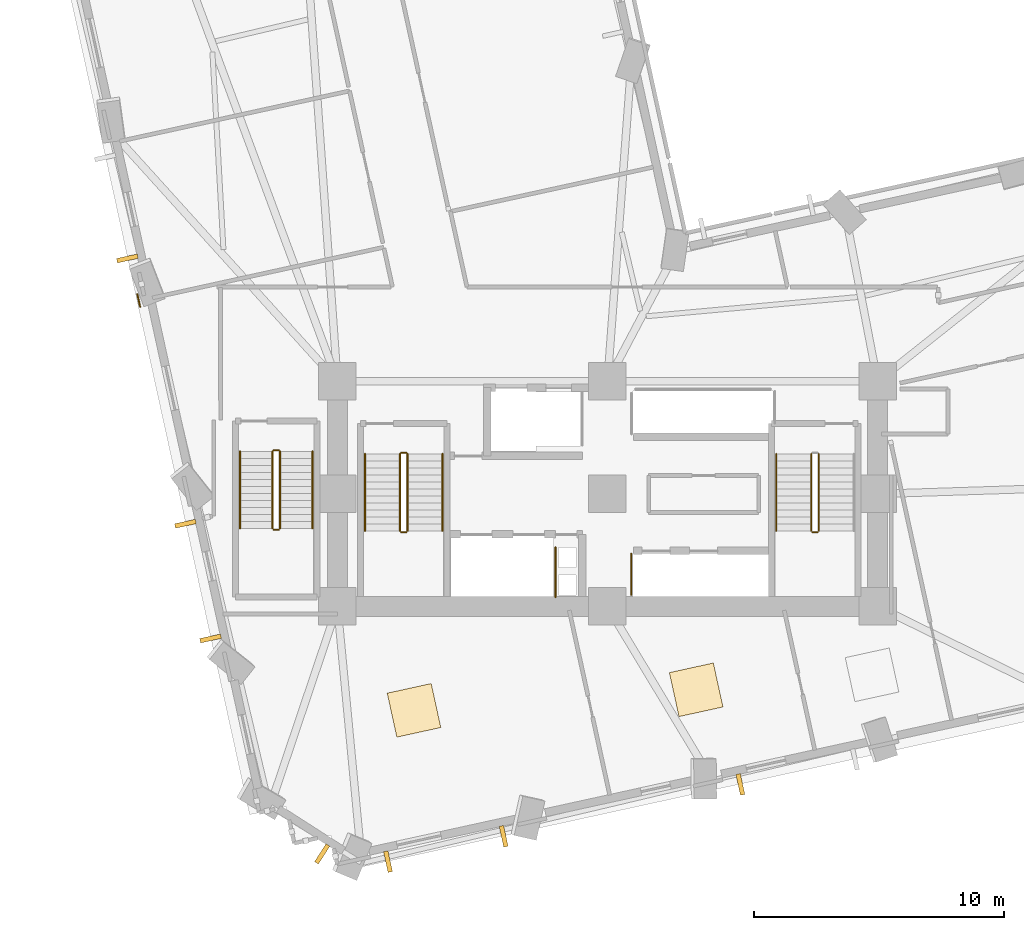
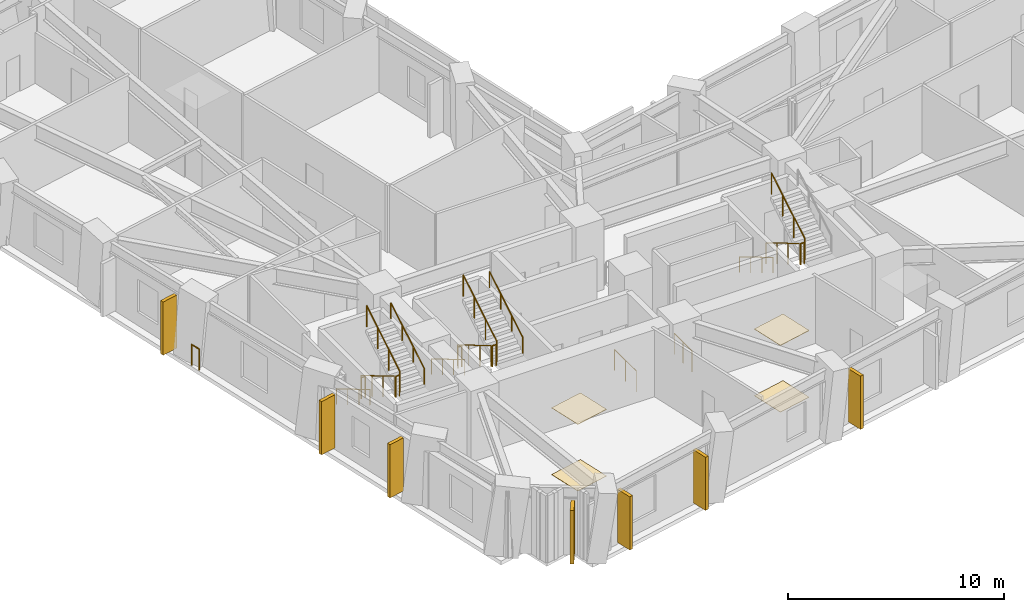
# One storey, part 11 of 14: 19 railings, 7 shading devices, 4 coverings.
"""IFC4 building model written with IfcOpenShell, lengths in metres."""

from ifc_helpers import new_model, si_unit, direction, frame, origin, origin_2d, place, context, subcontext, project, spatial, rectangle, circle, extrude, material, layer, layer_set, type_object, element, save


model = new_model("IFC4")

# Units and contexts
model_context = context("Model", 3, precision=1e-05, world=origin(), true_north=direction((0.0, 1.0)))
body_context = subcontext(model_context, "Body", "Model", "MODEL_VIEW")
ifc_project = project(units=[si_unit("LENGTHUNIT", "METRE"), si_unit("AREAUNIT", "SQUARE_METRE"), si_unit("VOLUMEUNIT", "CUBIC_METRE"), si_unit("PLANEANGLEUNIT", "RADIAN"), si_unit("MASSUNIT", "GRAM", prefix="KILO")], contexts=[model_context])

# Site, building, storey
site_placement = place(None, origin())
site = spatial("IfcSite", under=ifc_project, at=site_placement, CompositionType="ELEMENT")
building_placement = place(site_placement, origin())
building = spatial("IfcBuilding", under=site, at=building_placement, Name="Gaonmaruhae Medical Tower", CompositionType="ELEMENT")
storey_placement = place(building_placement, frame((0.0, 0.0, 75.0)))
storey = spatial("IfcBuildingStorey", under=building, at=storey_placement, Name="L17", CompositionType="ELEMENT", Elevation=75.0)

# Coverings
ifc_material_1 = material(Name="Acoustic mineral ceiling tile", Category="finish")
ifc_layer_1 = layer(ifc_material_1, 0.02490234375)
ifc_layer_set_1 = layer_set([ifc_layer_1], Name="Acoustic mineral ceiling tile")
covering_type_1 = type_object("IfcCoveringType", Name="CLG-01 Antimicrobial Acoustic Mineral Ceiling", PredefinedType="CEILING", material=ifc_layer_set_1)
for number, where, z_axis, x_axis, name in (
    (1, (17.06201171875, 3.64501953125, 3.755126953125), (0.0, 0.0, 1.0), (0.976859298345, 0.213882938162, 0.0), "L17 Clinical Room Acoustic Ceiling 2"),
    (2, (28.347412109375, 4.466552734375, 3.755126953125), (0.0, 0.0, 1.0), (0.976859298345, 0.213882938162, 0.0), "L17 Clinical Room Acoustic Ceiling 3"),
):
    element("IfcCovering", number, at=place(storey_placement, frame(where, z_axis=z_axis, x_axis=x_axis)), inside=storey, type_object=covering_type_1, Name=name, PredefinedType="CEILING", context=body_context, shape_type="SweptSolid", body=[
        extrude(rectangle(XDim=1.800048828125, YDim=1.800048828125, at=origin_2d()), origin(), (0.0, 0.0, 1.0), 0.02490234375),
    ])
ifc_material_2 = material(Name="Seamless clinical vinyl flooring", Category="finish")
ifc_layer_2 = layer(ifc_material_2, 0.014892578125)
ifc_layer_set_2 = layer_set([ifc_layer_2], Name="Seamless clinical vinyl flooring")
covering_type_2 = type_object("IfcCoveringType", Name="FLR-01 Seamless Clinical Antistatic Vinyl Flooring", PredefinedType="FLOORING", material=ifc_layer_set_2)
for number, where, z_axis, x_axis, name in (
    (3, (17.06201171875, 3.64501953125, 0.0), (0.0, 0.0, 1.0), (0.976859298345, 0.213882938162, 0.0), "L17 Clinical Room Vinyl Flooring 2"),
    (4, (28.347412109375, 4.466552734375, 0.0), (0.0, 0.0, 1.0), (0.976859298345, 0.213882938162, 0.0), "L17 Clinical Room Vinyl Flooring 3"),
):
    element("IfcCovering", number, at=place(storey_placement, frame(where, z_axis=z_axis, x_axis=x_axis)), inside=storey, type_object=covering_type_2, Name=name, PredefinedType="FLOORING", context=body_context, shape_type="SweptSolid", body=[
        extrude(rectangle(XDim=1.800048828125, YDim=1.800048828125, at=origin_2d()), origin(), (0.0, 0.0, 1.0), 0.014892578125),
    ])

# Railings
ifc_material_3 = material(Name="Stainless steel 316L and laminated safety glass", Category="steel")
ifc_layer_3 = layer(ifc_material_3, 0.080078125)
ifc_layer_set_3 = layer_set([ifc_layer_3], Name="Stainless steel 316L and laminated safety glass")
railing_type_1 = type_object("IfcRailingType", Name="GD-120 Outdoor Terrace Safety Glass & Steel Balustrade", PredefinedType="BALUSTRADE", material=ifc_layer_set_3)
railing_1_placement = place(storey_placement, frame((6.106689453125, 19.7841796875, 0.0)))
element("IfcRailing", 5, at=railing_1_placement, inside=storey, type_object=railing_type_1, Name="L17 Perimeter Slab Edge Safety Balustrade 01", PredefinedType="BALUSTRADE", context=body_context, shape_type="SweptSolid", body=[
    extrude(circle(Radius=0.02392578125, at=origin_2d()), frame((0.0, 0.0, 1.17578125), z_axis=(-0.214243303988, 0.976780326735, 0.0), x_axis=(-0.976780326735, -0.214243303988, 0.0)), (0.0, 0.0, 1.0), 0.51953125),
    extrude(circle(Radius=0.02099609375, at=origin_2d()), origin(), (0.0, 0.0, 1.0), 1.15185546875),
    extrude(circle(Radius=0.02099609375, at=origin_2d()), frame((-0.111328125, 0.507568359375, 0.0)), (0.0, 0.0, 1.0), 1.15185546875),
])
ifc_material_4 = material(Name="Stainless steel 304 handrail", Category="steel")
railing_type_2 = type_object("IfcRailingType", Name="HR-092 Continuous Stainless Steel Stair Handrail", PredefinedType="HANDRAIL", material=ifc_material_4)
railing_2_placement = place(storey_placement, frame((15.10009765625, 13.89990234375, 0.166748046875)))
element("IfcRailing", 6, at=railing_2_placement, inside=storey, type_object=railing_type_2, Name="L17 ST-01 stair handrail 1", PredefinedType="HANDRAIL", context=body_context, shape_type="SweptSolid", body=[
    extrude(circle(Radius=0.02392578125, at=origin_2d()), frame((0.0, 0.0, 0.8759765625), z_axis=(0.0, -0.859290745958, 0.51148745235), x_axis=(1.0, 0.0, 0.0)), (0.0, 0.0, 1.0), 3.584228515625),
    extrude(circle(Radius=0.02099609375, at=origin_2d()), origin(), (0.0, 0.0, 1.0), 0.851806640625),
    extrude(circle(Radius=0.02099609375, at=origin_2d()), frame((0.0, -1.026611328125, 0.611083984375)), (0.0, 0.0, 1.0), 0.851806640625),
    extrude(circle(Radius=0.02099609375, at=origin_2d()), frame((0.0, -2.05322265625, 1.22216796875)), (0.0, 0.0, 1.0), 0.851806640625),
    extrude(circle(Radius=0.02099609375, at=origin_2d()), frame((0.0, -3.079833984375, 1.833251953125)), (0.0, 0.0, 1.0), 0.851806640625),
])
railing_3_placement = place(storey_placement, frame((18.199951171875, 10.820068359375, 2.166748046875)))
element("IfcRailing", 7, at=railing_3_placement, inside=storey, type_object=railing_type_2, Name="L17 ST-01 stair handrail 2", PredefinedType="HANDRAIL", context=body_context, shape_type="SweptSolid", body=[
    extrude(circle(Radius=0.02392578125, at=origin_2d()), frame((0.0, 0.0, 0.8759765625), z_axis=(0.0, 0.859290745958, 0.51148745235), x_axis=(-1.0, 0.0, 0.0)), (0.0, 0.0, 1.0), 3.584228515625),
    extrude(circle(Radius=0.02099609375, at=origin_2d()), origin(), (0.0, 0.0, 1.0), 0.851806640625),
    extrude(circle(Radius=0.02099609375, at=origin_2d()), frame((0.0, 1.026611328125, 0.611083984375)), (0.0, 0.0, 1.0), 0.851806640625),
    extrude(circle(Radius=0.02099609375, at=origin_2d()), frame((0.0, 2.05322265625, 1.22216796875)), (0.0, 0.0, 1.0), 0.851806640625),
    extrude(circle(Radius=0.02099609375, at=origin_2d()), frame((0.0, 3.079833984375, 1.833251953125)), (0.0, 0.0, 1.0), 0.851806640625),
])
railing_4_placement = place(storey_placement, frame((31.550048828125, 13.89990234375, 0.166748046875)))
element("IfcRailing", 8, at=railing_4_placement, inside=storey, type_object=railing_type_2, Name="L17 ST-02 stair handrail 1", PredefinedType="HANDRAIL", context=body_context, shape_type="SweptSolid", body=[
    extrude(circle(Radius=0.02392578125, at=origin_2d()), frame((0.0, 0.0, 0.8759765625), z_axis=(0.0, -0.859290745958, 0.51148745235), x_axis=(1.0, 0.0, 0.0)), (0.0, 0.0, 1.0), 3.584228515625),
    extrude(circle(Radius=0.02099609375, at=origin_2d()), origin(), (0.0, 0.0, 1.0), 0.851806640625),
    extrude(circle(Radius=0.02099609375, at=origin_2d()), frame((0.0, -1.026611328125, 0.611083984375)), (0.0, 0.0, 1.0), 0.851806640625),
    extrude(circle(Radius=0.02099609375, at=origin_2d()), frame((0.0, -2.05322265625, 1.22216796875)), (0.0, 0.0, 1.0), 0.851806640625),
    extrude(circle(Radius=0.02099609375, at=origin_2d()), frame((0.0, -3.079833984375, 1.833251953125)), (0.0, 0.0, 1.0), 0.851806640625),
])
railing_5_placement = place(storey_placement, frame((10.10009765625, 14.0, 0.166748046875)))
element("IfcRailing", 9, at=railing_5_placement, inside=storey, type_object=railing_type_2, Name="L17 ST-03 stair handrail 1", PredefinedType="HANDRAIL", context=body_context, shape_type="SweptSolid", body=[
    extrude(circle(Radius=0.02392578125, at=origin_2d()), frame((0.0, 0.0, 0.8759765625), z_axis=(0.0, -0.859308565015, 0.511457515432), x_axis=(1.0, 0.0, 0.0)), (0.0, 0.0, 1.0), 3.58447265625),
    extrude(circle(Radius=0.02099609375, at=origin_2d()), origin(), (0.0, 0.0, 1.0), 0.851806640625),
    extrude(circle(Radius=0.02099609375, at=origin_2d()), frame((0.0, -1.026611328125, 0.611083984375)), (0.0, 0.0, 1.0), 0.851806640625),
    extrude(circle(Radius=0.02099609375, at=origin_2d()), frame((0.0, -2.053466796875, 1.22216796875)), (0.0, 0.0, 1.0), 0.851806640625),
    extrude(circle(Radius=0.02099609375, at=origin_2d()), frame((0.0, -3.080078125, 1.833251953125)), (0.0, 0.0, 1.0), 0.851806640625),
])
railing_6_placement = place(storey_placement, frame((13.0, 10.919921875, 2.166748046875)))
element("IfcRailing", 10, at=railing_6_placement, inside=storey, type_object=railing_type_2, Name="L17 ST-03 stair handrail 2", PredefinedType="HANDRAIL", context=body_context, shape_type="SweptSolid", body=[
    extrude(circle(Radius=0.02392578125, at=origin_2d()), frame((0.0, 0.0, 0.8759765625), z_axis=(0.0, 0.859308565015, 0.511457515432), x_axis=(-1.0, 0.0, 0.0)), (0.0, 0.0, 1.0), 3.58447265625),
    extrude(circle(Radius=0.02099609375, at=origin_2d()), origin(), (0.0, 0.0, 1.0), 0.851806640625),
    extrude(circle(Radius=0.02099609375, at=origin_2d()), frame((0.0, 1.026611328125, 0.611083984375)), (0.0, 0.0, 1.0), 0.851806640625),
    extrude(circle(Radius=0.02099609375, at=origin_2d()), frame((0.0, 2.053466796875, 1.22216796875)), (0.0, 0.0, 1.0), 0.851806640625),
    extrude(circle(Radius=0.02099609375, at=origin_2d()), frame((0.0, 3.080078125, 1.833251953125)), (0.0, 0.0, 1.0), 0.851806640625),
])

# Shading devices
ifc_material_5 = material(Name="Pigmented coral precast concrete C45/55", Category="concrete")
shading_device_type = type_object("IfcShadingDeviceType", Name="SD-FIN1 Tower Vertical Coral Precast Shading Fin", PredefinedType="USERDEFINED", material=ifc_material_5)
for number, where, z_axis, x_axis, name in (
    (11, (20.646484375, -1.3916015625, 0.08251953125), (0.0, 0.0, 1.0), (-0.976863031158, -0.213865888718, 0.0), "L17 Vertical Coral Precast Shading Fin S01"),
    (12, (16.021484375, -2.404296875, 0.08251953125), (0.0, 0.0, 1.0), (-0.976863031158, -0.213865888718, 0.0), "L17 Vertical Coral Precast Shading Fin S01B"),
    (13, (30.115478515625, 0.681640625, 0.08251953125), (0.0, 0.0, 1.0), (-0.976859298345, -0.213882938162, 0.0), "L17 Vertical Coral Precast Shading Fin S03B"),
    (14, (5.595947265625, 21.718994140625, 0.08251953125), (0.0, 0.0, 1.0), (-0.213882938162, 0.976859298345, 0.0), "L17 Vertical Coral Precast Shading Fin W03"),
    (15, (8.923828125, 6.51953125, 0.08251953125), (0.0, 0.0, 1.0), (-0.213882938162, 0.976859298345, 0.0), "L17 Vertical Coral Precast Shading Fin W05"),
    (16, (7.919189453125, 11.10791015625, 0.08251953125), (0.0, 0.0, 1.0), (-0.213882938162, 0.976859298345, 0.0), "L17 Vertical Coral Precast Shading Fin W05B"),
    (17, (13.389892578125, -2.098388671875, 0.08251953125), (0.0, 0.0, 1.0), (-0.841981910079, 0.539505758171, 0.0), "L17 Vertical Coral Precast Shading Fin W07"),
):
    element("IfcShadingDevice", number, at=place(storey_placement, frame(where, z_axis=z_axis, x_axis=x_axis)), inside=storey, type_object=shading_device_type, Name=name, ObjectType="FIN", PredefinedType="USERDEFINED", context=body_context, shape_type="SweptSolid", body=[
        extrude(rectangle(XDim=0.179931640625, YDim=0.85009765625, at=origin_2d()), origin(), (0.0, 0.0, 1.0), 3.0),
    ])

# Railings
ifc_material_6 = material(Name="Stainless steel 304 balustrade", Category="steel")
railing_type_3 = type_object("IfcRailingType", Name="SG-112 Stair Well & Ramp Void Safety Balustrade", PredefinedType="BALUSTRADE", material=ifc_material_6)
railing_7_placement = place(storey_placement, frame((16.5, 13.89990234375, 0.166748046875)))
element("IfcRailing", 18, at=railing_7_placement, inside=storey, type_object=railing_type_3, Name="L17 ST-01 stair guard 1", PredefinedType="BALUSTRADE", context=body_context, shape_type="SweptSolid", body=[
    extrude(circle(Radius=0.02392578125, at=origin_2d()), frame((0.0, 0.0, 1.17578125), z_axis=(0.0, -0.859290745958, 0.51148745235), x_axis=(1.0, 0.0, 0.0)), (0.0, 0.0, 1.0), 3.584228515625),
    extrude(circle(Radius=0.02099609375, at=origin_2d()), origin(), (0.0, 0.0, 1.0), 1.15185546875),
    extrude(circle(Radius=0.02099609375, at=origin_2d()), frame((0.0, -1.026611328125, 0.611083984375)), (0.0, 0.0, 1.0), 1.15185546875),
    extrude(circle(Radius=0.02099609375, at=origin_2d()), frame((0.0, -2.05322265625, 1.22216796875)), (0.0, 0.0, 1.0), 1.15185546875),
    extrude(circle(Radius=0.02099609375, at=origin_2d()), frame((0.0, -3.079833984375, 1.833251953125)), (0.0, 0.0, 1.0), 1.15185546875),
])
railing_8_placement = place(storey_placement, frame((16.550048828125, 10.77001953125, 2.0)))
element("IfcRailing", 19, at=railing_8_placement, inside=storey, type_object=railing_type_3, Name="L17 ST-01 stair guard 2", PredefinedType="BALUSTRADE", context=body_context, shape_type="SweptSolid", body=[
    extrude(circle(Radius=0.02392578125, at=origin_2d()), frame((0.0, 0.0, 1.17578125), z_axis=(1.0, 0.0, 0.0), x_axis=(0.0, 1.0, 0.0)), (0.0, 0.0, 1.0), 0.199951171875),
    extrude(circle(Radius=0.02099609375, at=origin_2d()), origin(), (0.0, 0.0, 1.0), 1.15185546875),
    extrude(circle(Radius=0.02099609375, at=origin_2d()), frame((0.199951171875, 0.0, 0.0)), (0.0, 0.0, 1.0), 1.15185546875),
])
railing_9_placement = place(storey_placement, frame((16.800048828125, 10.820068359375, 2.166748046875)))
element("IfcRailing", 20, at=railing_9_placement, inside=storey, type_object=railing_type_3, Name="L17 ST-01 stair guard 3", PredefinedType="BALUSTRADE", context=body_context, shape_type="SweptSolid", body=[
    extrude(circle(Radius=0.02392578125, at=origin_2d()), frame((0.0, 0.0, 1.17578125), z_axis=(0.0, 0.859290745958, 0.51148745235), x_axis=(-1.0, 0.0, 0.0)), (0.0, 0.0, 1.0), 3.584228515625),
    extrude(circle(Radius=0.02099609375, at=origin_2d()), origin(), (0.0, 0.0, 1.0), 1.15185546875),
    extrude(circle(Radius=0.02099609375, at=origin_2d()), frame((0.0, 1.026611328125, 0.611083984375)), (0.0, 0.0, 1.0), 1.15185546875),
    extrude(circle(Radius=0.02099609375, at=origin_2d()), frame((0.0, 2.05322265625, 1.22216796875)), (0.0, 0.0, 1.0), 1.15185546875),
    extrude(circle(Radius=0.02099609375, at=origin_2d()), frame((0.0, 3.079833984375, 1.833251953125)), (0.0, 0.0, 1.0), 1.15185546875),
])
railing_10_placement = place(storey_placement, frame((16.550048828125, 13.949951171875, 0.0)))
element("IfcRailing", 21, at=railing_10_placement, inside=storey, type_object=railing_type_3, Name="L17 ST-01 stair guard 4", PredefinedType="BALUSTRADE", context=body_context, shape_type="SweptSolid", body=[
    extrude(circle(Radius=0.02392578125, at=origin_2d()), frame((0.0, 0.0, 1.17578125), z_axis=(1.0, 0.0, 0.0), x_axis=(0.0, 1.0, 0.0)), (0.0, 0.0, 1.0), 0.199951171875),
    extrude(circle(Radius=0.02099609375, at=origin_2d()), origin(), (0.0, 0.0, 1.0), 1.15185546875),
    extrude(circle(Radius=0.02099609375, at=origin_2d()), frame((0.199951171875, 0.0, 0.0)), (0.0, 0.0, 1.0), 1.15185546875),
])
railing_11_placement = place(storey_placement, frame((32.949951171875, 13.89990234375, 0.166748046875)))
element("IfcRailing", 22, at=railing_11_placement, inside=storey, type_object=railing_type_3, Name="L17 ST-02 stair guard 1", PredefinedType="BALUSTRADE", context=body_context, shape_type="SweptSolid", body=[
    extrude(circle(Radius=0.02392578125, at=origin_2d()), frame((0.0, 0.0, 1.17578125), z_axis=(0.0, -0.859290745958, 0.51148745235), x_axis=(1.0, 0.0, 0.0)), (0.0, 0.0, 1.0), 3.584228515625),
    extrude(circle(Radius=0.02099609375, at=origin_2d()), origin(), (0.0, 0.0, 1.0), 1.15185546875),
    extrude(circle(Radius=0.02099609375, at=origin_2d()), frame((0.0, -1.026611328125, 0.611083984375)), (0.0, 0.0, 1.0), 1.15185546875),
    extrude(circle(Radius=0.02099609375, at=origin_2d()), frame((0.0, -2.05322265625, 1.22216796875)), (0.0, 0.0, 1.0), 1.15185546875),
    extrude(circle(Radius=0.02099609375, at=origin_2d()), frame((0.0, -3.079833984375, 1.833251953125)), (0.0, 0.0, 1.0), 1.15185546875),
])
railing_12_placement = place(storey_placement, frame((33.0, 10.77001953125, 2.0)))
element("IfcRailing", 23, at=railing_12_placement, inside=storey, type_object=railing_type_3, Name="L17 ST-02 stair guard 2", PredefinedType="BALUSTRADE", context=body_context, shape_type="SweptSolid", body=[
    extrude(circle(Radius=0.02392578125, at=origin_2d()), frame((0.0, 0.0, 1.17578125), z_axis=(1.0, 0.0, 0.0), x_axis=(0.0, 1.0, 0.0)), (0.0, 0.0, 1.0), 0.199951171875),
    extrude(circle(Radius=0.02099609375, at=origin_2d()), origin(), (0.0, 0.0, 1.0), 1.15185546875),
    extrude(circle(Radius=0.02099609375, at=origin_2d()), frame((0.199951171875, 0.0, 0.0)), (0.0, 0.0, 1.0), 1.15185546875),
])
railing_13_placement = place(storey_placement, frame((33.25, 10.820068359375, 2.166748046875)))
element("IfcRailing", 24, at=railing_13_placement, inside=storey, type_object=railing_type_3, Name="L17 ST-02 stair guard 3", PredefinedType="BALUSTRADE", context=body_context, shape_type="SweptSolid", body=[
    extrude(circle(Radius=0.02392578125, at=origin_2d()), frame((0.0, 0.0, 1.17578125), z_axis=(0.0, 0.859290745958, 0.51148745235), x_axis=(-1.0, 0.0, 0.0)), (0.0, 0.0, 1.0), 3.584228515625),
    extrude(circle(Radius=0.02099609375, at=origin_2d()), origin(), (0.0, 0.0, 1.0), 1.15185546875),
    extrude(circle(Radius=0.02099609375, at=origin_2d()), frame((0.0, 1.026611328125, 0.611083984375)), (0.0, 0.0, 1.0), 1.15185546875),
    extrude(circle(Radius=0.02099609375, at=origin_2d()), frame((0.0, 2.05322265625, 1.22216796875)), (0.0, 0.0, 1.0), 1.15185546875),
    extrude(circle(Radius=0.02099609375, at=origin_2d()), frame((0.0, 3.079833984375, 1.833251953125)), (0.0, 0.0, 1.0), 1.15185546875),
])
railing_14_placement = place(storey_placement, frame((11.39990234375, 14.0, 0.166748046875)))
element("IfcRailing", 25, at=railing_14_placement, inside=storey, type_object=railing_type_3, Name="L17 ST-03 stair guard 1", PredefinedType="BALUSTRADE", context=body_context, shape_type="SweptSolid", body=[
    extrude(circle(Radius=0.02392578125, at=origin_2d()), frame((0.0, 0.0, 1.17578125), z_axis=(0.0, -0.859308565015, 0.511457515432), x_axis=(1.0, 0.0, 0.0)), (0.0, 0.0, 1.0), 3.58447265625),
    extrude(circle(Radius=0.02099609375, at=origin_2d()), origin(), (0.0, 0.0, 1.0), 1.15185546875),
    extrude(circle(Radius=0.02099609375, at=origin_2d()), frame((0.0, -1.026611328125, 0.611083984375)), (0.0, 0.0, 1.0), 1.15185546875),
    extrude(circle(Radius=0.02099609375, at=origin_2d()), frame((0.0, -2.053466796875, 1.22216796875)), (0.0, 0.0, 1.0), 1.15185546875),
    extrude(circle(Radius=0.02099609375, at=origin_2d()), frame((0.0, -3.080078125, 1.833251953125)), (0.0, 0.0, 1.0), 1.15185546875),
])
railing_15_placement = place(storey_placement, frame((11.449951171875, 10.8701171875, 2.0)))
element("IfcRailing", 26, at=railing_15_placement, inside=storey, type_object=railing_type_3, Name="L17 ST-03 stair guard 2", PredefinedType="BALUSTRADE", context=body_context, shape_type="SweptSolid", body=[
    extrude(circle(Radius=0.02392578125, at=origin_2d()), frame((0.0, 0.0, 1.17578125), z_axis=(1.0, 0.0, 0.0), x_axis=(0.0, 1.0, 0.0)), (0.0, 0.0, 1.0), 0.199951171875),
    extrude(circle(Radius=0.02099609375, at=origin_2d()), origin(), (0.0, 0.0, 1.0), 1.15185546875),
    extrude(circle(Radius=0.02099609375, at=origin_2d()), frame((0.199951171875, 0.0, 0.0)), (0.0, 0.0, 1.0), 1.15185546875),
])
railing_16_placement = place(storey_placement, frame((11.699951171875, 10.919921875, 2.166748046875)))
element("IfcRailing", 27, at=railing_16_placement, inside=storey, type_object=railing_type_3, Name="L17 ST-03 stair guard 3", PredefinedType="BALUSTRADE", context=body_context, shape_type="SweptSolid", body=[
    extrude(circle(Radius=0.02392578125, at=origin_2d()), frame((0.0, 0.0, 1.17578125), z_axis=(0.0, 0.859308565015, 0.511457515432), x_axis=(-1.0, 0.0, 0.0)), (0.0, 0.0, 1.0), 3.58447265625),
    extrude(circle(Radius=0.02099609375, at=origin_2d()), origin(), (0.0, 0.0, 1.0), 1.15185546875),
    extrude(circle(Radius=0.02099609375, at=origin_2d()), frame((0.0, 1.026611328125, 0.611083984375)), (0.0, 0.0, 1.0), 1.15185546875),
    extrude(circle(Radius=0.02099609375, at=origin_2d()), frame((0.0, 2.053466796875, 1.22216796875)), (0.0, 0.0, 1.0), 1.15185546875),
    extrude(circle(Radius=0.02099609375, at=origin_2d()), frame((0.0, 3.080078125, 1.833251953125)), (0.0, 0.0, 1.0), 1.15185546875),
])
railing_17_placement = place(storey_placement, frame((11.449951171875, 14.050048828125, 0.0)))
element("IfcRailing", 28, at=railing_17_placement, inside=storey, type_object=railing_type_3, Name="L17 ST-03 stair guard 4", PredefinedType="BALUSTRADE", context=body_context, shape_type="SweptSolid", body=[
    extrude(circle(Radius=0.02392578125, at=origin_2d()), frame((0.0, 0.0, 1.17578125), z_axis=(1.0, 0.0, 0.0), x_axis=(0.0, 1.0, 0.0)), (0.0, 0.0, 1.0), 0.199951171875),
    extrude(circle(Radius=0.02099609375, at=origin_2d()), origin(), (0.0, 0.0, 1.0), 1.15185546875),
    extrude(circle(Radius=0.02099609375, at=origin_2d()), frame((0.199951171875, 0.0, 0.0)), (0.0, 0.0, 1.0), 1.15185546875),
])
railing_18_placement = place(storey_placement, frame((25.7548828125, 8.27001953125, 0.0)))
element("IfcRailing", 29, at=railing_18_placement, inside=storey, type_object=railing_type_3, Name="L17 Shaft Edge Safety Guard 07", PredefinedType="BALUSTRADE", context=body_context, shape_type="SweptSolid", body=[
    extrude(circle(Radius=0.02392578125, at=origin_2d()), frame((0.0, 0.0, 1.17578125), z_axis=(0.0, 1.0, 0.0), x_axis=(-1.0, 0.0, 0.0)), (0.0, 0.0, 1.0), 1.635009765625),
    extrude(circle(Radius=0.02099609375, at=origin_2d()), origin(), (0.0, 0.0, 1.0), 1.15185546875),
    extrude(circle(Radius=0.02099609375, at=origin_2d()), frame((0.0, 0.8173828125, 0.0)), (0.0, 0.0, 1.0), 1.15185546875),
    extrude(circle(Radius=0.02099609375, at=origin_2d()), frame((0.0, 1.635009765625, 0.0)), (0.0, 0.0, 1.0), 1.15185546875),
])
railing_19_placement = place(storey_placement, frame((22.719970703125, 10.159912109375, 0.0)))
element("IfcRailing", 30, at=railing_19_placement, inside=storey, type_object=railing_type_3, Name="L17 Shaft Edge Safety Guard 08", PredefinedType="BALUSTRADE", context=body_context, shape_type="SweptSolid", body=[
    extrude(circle(Radius=0.02392578125, at=origin_2d()), frame((0.0, 0.0, 1.17578125), z_axis=(0.0, -1.0, 0.0), x_axis=(1.0, 0.0, 0.0)), (0.0, 0.0, 1.0), 1.994873046875),
    extrude(circle(Radius=0.02099609375, at=origin_2d()), origin(), (0.0, 0.0, 1.0), 1.15185546875),
    extrude(circle(Radius=0.02099609375, at=origin_2d()), frame((0.0, -0.99755859375, 0.0)), (0.0, 0.0, 1.0), 1.15185546875),
    extrude(circle(Radius=0.02099609375, at=origin_2d()), frame((0.0, -1.994873046875, 0.0)), (0.0, 0.0, 1.0), 1.15185546875),
])

save(model, "model.ifc")
